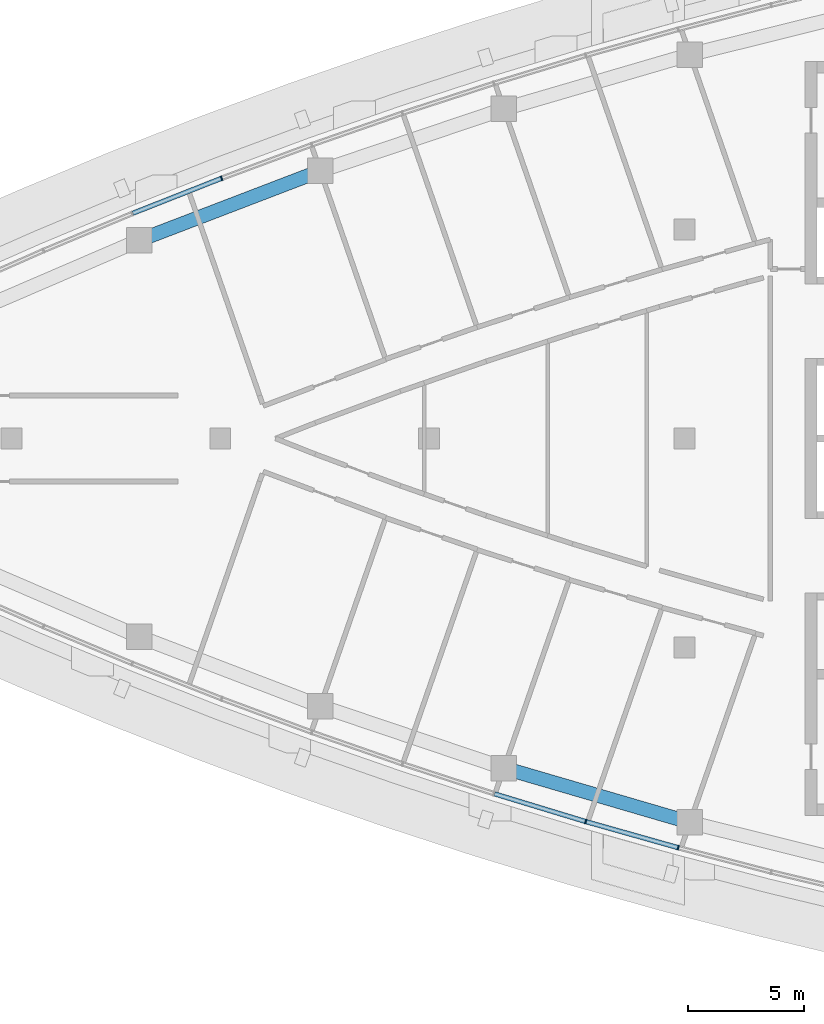
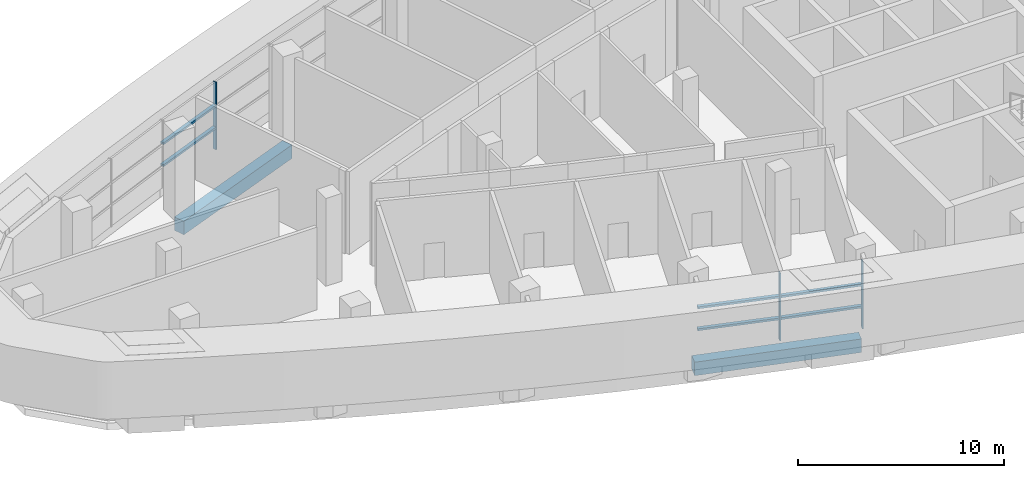
# One storey, part 3 of 14: 9 members, 2 beams, 2 elements without a shape of their own.
"""IFC4 building model written with IfcOpenShell, lengths in metres."""

from ifc_helpers import new_model, si_unit, direction, frame, origin, origin_2d, place, context, subcontext, project, spatial, rectangle, extrude, material, layer, layer_set, material_profile, profile_set, type_object, element, aggregate, save


model = new_model("IFC4")

# Units and contexts
model_context = context("Model", 3, precision=1e-05, world=origin(), true_north=direction((0.0, 1.0)))
body_context = subcontext(model_context, "Body", "Model", "MODEL_VIEW")
ifc_project = project(units=[si_unit("LENGTHUNIT", "METRE"), si_unit("AREAUNIT", "SQUARE_METRE"), si_unit("VOLUMEUNIT", "CUBIC_METRE"), si_unit("PLANEANGLEUNIT", "RADIAN"), si_unit("MASSUNIT", "GRAM", prefix="KILO")], contexts=[model_context])

# Site, building, storey
site_placement = place(None, origin())
site = spatial("IfcSite", under=ifc_project, at=site_placement, CompositionType="ELEMENT")
building_placement = place(site_placement, origin())
building = spatial("IfcBuilding", under=site, at=building_placement, Name="Ostrand Prow Hotel Tower", CompositionType="ELEMENT")
storey_placement = place(building_placement, frame((0.0, 0.0, 303.39990234375)))
storey = spatial("IfcBuildingStorey", under=building, at=storey_placement, Name="L77", CompositionType="ELEMENT", Elevation=303.39990234375)

# Beams
ifc_material_1 = material(Name="Concrete C50/60", Category="concrete")
ifc_material_profile_1 = material_profile(ifc_material_1, rectangle(XDim=0.60009765625, YDim=0.800048828125, at=origin_2d()), Name="RC 600x800")
ifc_profile_set_1 = profile_set([ifc_material_profile_1], Name="Concrete C50/60")
beam_type = type_object("IfcBeamType", Name="Edge beam 600x800 C50/60", PredefinedType="SPANDREL", material=ifc_profile_set_1)
for number, where, z_axis, x_axis, name in (
    (1, (37.22119140625, -14.19580078125, -0.7998046875), (0.959821966031, -0.280609681809, 0.0), (0.280609681809, 0.959821966031, 0.0), "Edge beam S4-S5"),
    (2, (29.31005859375, 11.528076171875, -0.7998046875), (-0.933761753797, -0.357895218111, 0.0), (0.357895218111, -0.933761753797, 0.0), "Edge beam N4-N5"),
):
    element("IfcBeam", number, at=place(storey_placement, frame(where, z_axis=z_axis, x_axis=x_axis)), inside=storey, type_object=beam_type, Name=name, PredefinedType="SPANDREL", context=body_context, shape_type="SweptSolid", body=[
        extrude(rectangle(XDim=0.60009765625, YDim=0.800048828125, at=origin_2d()), origin(), (0.0, 0.0, 1.0), 8.348876953125),
    ])

# Curtain wall, members
ifc_material_2 = material(Name="Insulated glass in bronze anodised frame", Category="glass")
ifc_layer = layer(ifc_material_2, 0.199951171875)
ifc_layer_set = layer_set([ifc_layer], Name="Insulated glass in bronze anodised frame")
curtain_wall_type = type_object("IfcCurtainWallType", Name="Plant storey louvre wall", PredefinedType="NOTDEFINED", material=ifc_layer_set)
curtain_wall_1_placement = place(storey_placement, origin())
curtain_wall_1 = element("IfcCurtainWall", 3, at=curtain_wall_1_placement, inside=storey, type_object=curtain_wall_type, Name="CW7 run CWS4", PredefinedType="NOTDEFINED")
ifc_material_3 = material(Name="Bronze anodised aluminium", Category="aluminium")
ifc_material_profile_2 = material_profile(ifc_material_3, rectangle(XDim=0.199951171875, YDim=0.06005859375, at=origin_2d()), Name="Mullion 60x200 bronze anodised aluminium")
ifc_profile_set_2 = profile_set([ifc_material_profile_2], Name="Bronze anodised aluminium")
member_type_1 = type_object("IfcMemberType", Name="Mullion 60x200 bronze anodised aluminium", PredefinedType="MULLION", material=ifc_profile_set_2)
member_1_placement = place(storey_placement, frame((40.744384765625, -16.502197265625, 0.900146484375), z_axis=(0.0, 0.0, 1.0), x_axis=(0.271648738865, 0.962396468548, 0.0)))
member_1 = element("IfcMember", 4, at=member_1_placement, type_object=member_type_1, Name="CW7 mullion 2", PredefinedType="MULLION", context=body_context, shape_type="SweptSolid", body=[
    extrude(rectangle(XDim=0.199951171875, YDim=0.06005859375, at=origin_2d()), origin(), (0.0, 0.0, 1.0), 4.0),
])
member_2_placement = place(storey_placement, frame((44.728515625, -17.626708984375, 0.900146484375), z_axis=(0.0, 0.0, 1.0), x_axis=(0.271648738865, 0.962396468548, 0.0)))
member_2 = element("IfcMember", 5, at=member_2_placement, type_object=member_type_1, Name="CW7 mullion 3", PredefinedType="MULLION", context=body_context, shape_type="SweptSolid", body=[
    extrude(rectangle(XDim=0.199951171875, YDim=0.06005859375, at=origin_2d()), origin(), (0.0, 0.0, 1.0), 4.0),
])

# Curtain wall, member
curtain_wall_2_placement = place(storey_placement, origin())
curtain_wall_2 = element("IfcCurtainWall", 6, at=curtain_wall_2_placement, inside=storey, type_object=curtain_wall_type, Name="CW7 run CWN4", PredefinedType="NOTDEFINED")
member_3_placement = place(storey_placement, frame((25.05810546875, 11.210205078125, 0.900146484375), z_axis=(0.0, 0.0, 1.0), x_axis=(0.366845465248, -0.930281895249, 0.0)))
member_3 = element("IfcMember", 7, at=member_3_placement, type_object=member_type_1, Name="CW7 mullion 2", PredefinedType="MULLION", context=body_context, shape_type="SweptSolid", body=[
    extrude(rectangle(XDim=0.199951171875, YDim=0.06005859375, at=origin_2d()), origin(), (0.0, 0.0, 1.0), 4.0),
])

# Member
ifc_material_4 = material(Name="Bronze anodised aluminium", Category="aluminium")
ifc_material_profile_3 = material_profile(ifc_material_4, rectangle(XDim=0.199951171875, YDim=0.1201171875, at=origin_2d()), Name="Transom 120x200 bronze anodised aluminium")
ifc_profile_set_3 = profile_set([ifc_material_profile_3], Name="Bronze anodised aluminium")
member_type_2 = type_object("IfcMemberType", Name="Transom 120x200 bronze anodised aluminium", PredefinedType="USERDEFINED", material=ifc_profile_set_3)
member_4_placement = place(storey_placement, frame((36.8125, -15.306396484375, 2.2001953125), z_axis=(0.956739081124, -0.290947298751, 0.0), x_axis=(0.290947298751, 0.956739081124, 0.0)))
member_4 = element("IfcMember", 8, at=member_4_placement, type_object=member_type_2, Name="CW7 transom 1.1", ObjectType="TRANSOM", PredefinedType="USERDEFINED", context=body_context, shape_type="SweptSolid", body=[
    extrude(rectangle(XDim=0.199951171875, YDim=0.1201171875, at=origin_2d()), origin(), (0.0, 0.0, 1.0), 4.079833984375),
])

member_5_placement = place(storey_placement, frame((36.8125, -15.306396484375, 3.5), z_axis=(0.956739081124, -0.290947298751, 0.0), x_axis=(0.290947298751, 0.956739081124, 0.0)))
member_5 = element("IfcMember", 9, at=member_5_placement, type_object=member_type_2, Name="CW7 transom 1.2", ObjectType="TRANSOM", PredefinedType="USERDEFINED", context=body_context, shape_type="SweptSolid", body=[
    extrude(rectangle(XDim=0.199951171875, YDim=0.1201171875, at=origin_2d()), origin(), (0.0, 0.0, 1.0), 4.079833984375),
])

member_6_placement = place(storey_placement, frame((40.7734375, -16.51025390625, 2.2001953125), z_axis=(0.962386308628, -0.271684730828, 0.0), x_axis=(0.271684730828, 0.962386308628, 0.0)))
member_6 = element("IfcMember", 10, at=member_6_placement, type_object=member_type_2, Name="CW7 transom 2.1", ObjectType="TRANSOM", PredefinedType="USERDEFINED", context=body_context, shape_type="SweptSolid", body=[
    extrude(rectangle(XDim=0.199951171875, YDim=0.1201171875, at=origin_2d()), origin(), (0.0, 0.0, 1.0), 4.079833984375),
])

member_7_placement = place(storey_placement, frame((40.7734375, -16.51025390625, 3.5), z_axis=(0.962386308628, -0.271684730828, 0.0), x_axis=(0.271684730828, 0.962386308628, 0.0)))
member_7 = element("IfcMember", 11, at=member_7_placement, type_object=member_type_2, Name="CW7 transom 2.2", ObjectType="TRANSOM", PredefinedType="USERDEFINED", context=body_context, shape_type="SweptSolid", body=[
    extrude(rectangle(XDim=0.199951171875, YDim=0.1201171875, at=origin_2d()), origin(), (0.0, 0.0, 1.0), 4.079833984375),
])

aggregate(curtain_wall_1, [member_1, member_2, member_4, member_5, member_6, member_7])

member_8_placement = place(storey_placement, frame((25.0302734375, 11.19921875, 2.2001953125), z_axis=(-0.930289613186, -0.366825892759, 0.0), x_axis=(0.366825892759, -0.930289613186, 0.0)))
member_8 = element("IfcMember", 12, at=member_8_placement, type_object=member_type_2, Name="CW7 transom 2.1", ObjectType="TRANSOM", PredefinedType="USERDEFINED", context=body_context, shape_type="SweptSolid", body=[
    extrude(rectangle(XDim=0.199951171875, YDim=0.1201171875, at=origin_2d()), origin(), (0.0, 0.0, 1.0), 4.079833984375),
])

member_9_placement = place(storey_placement, frame((25.0302734375, 11.19921875, 3.5), z_axis=(-0.930289613186, -0.366825892759, 0.0), x_axis=(0.366825892759, -0.930289613186, 0.0)))
member_9 = element("IfcMember", 13, at=member_9_placement, type_object=member_type_2, Name="CW7 transom 2.2", ObjectType="TRANSOM", PredefinedType="USERDEFINED", context=body_context, shape_type="SweptSolid", body=[
    extrude(rectangle(XDim=0.199951171875, YDim=0.1201171875, at=origin_2d()), origin(), (0.0, 0.0, 1.0), 4.079833984375),
])

aggregate(curtain_wall_2, [member_3, member_8, member_9])

save(model, "model.ifc")
